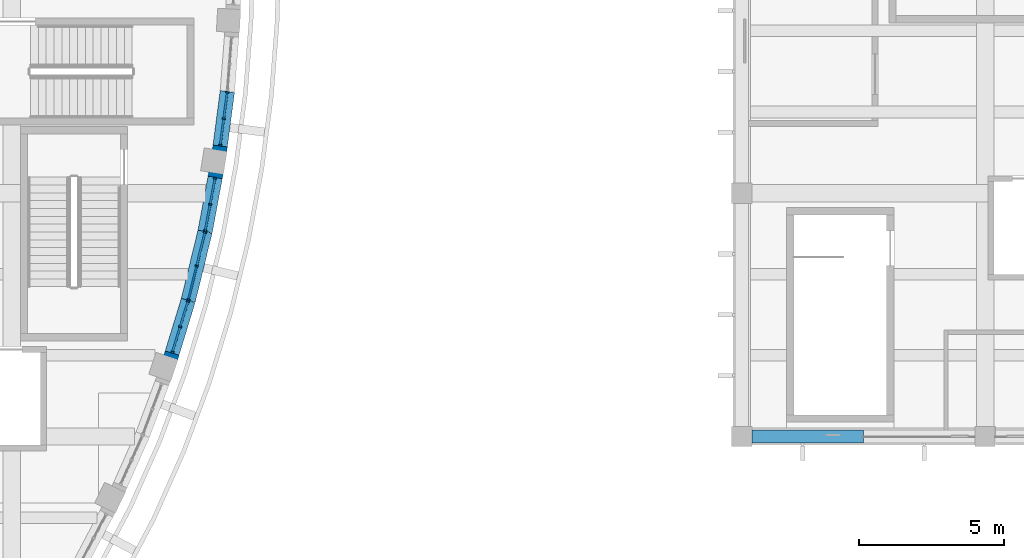
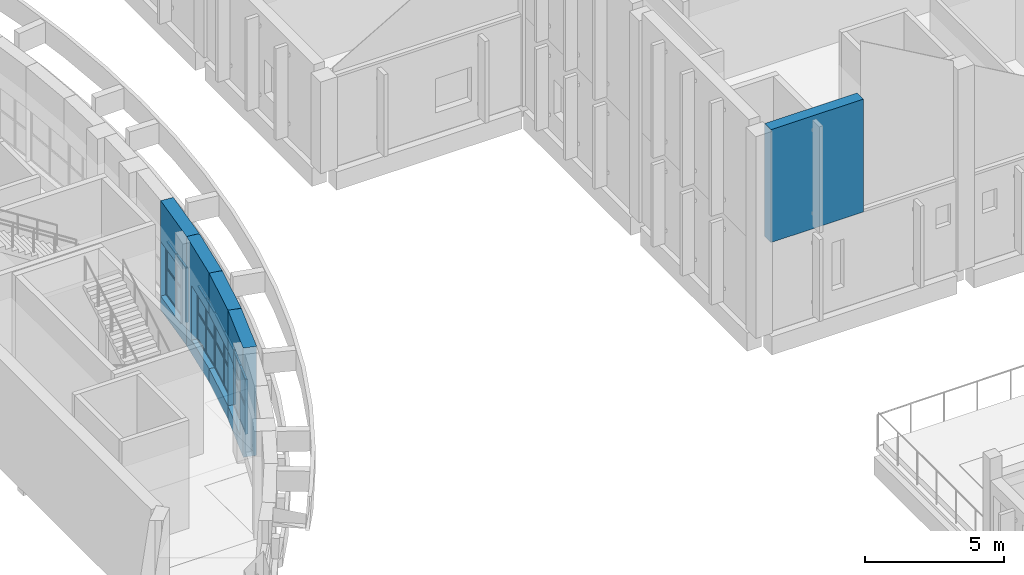
# One storey, part 40 of 79: 36 members, 16 plates, 5 walls, 4 openings, 4 elements without a shape of their own.
"""IFC4 building model written with IfcOpenShell, lengths in metres."""

from ifc_helpers import new_model, si_unit, direction, frame, frame_2d, origin, origin_2d, place, context, subcontext, project, spatial, rectangle, extrude, material, layer, layer_set, material_profile, profile_set, type_object, element, fill, aggregate, save


model = new_model("IFC4")

# Units and contexts
model_context = context("Model", 3, precision=1e-05, world=origin(), true_north=direction((0.0, 1.0)))
body_context = subcontext(model_context, "Body", "Model", "MODEL_VIEW")
ifc_project = project(units=[si_unit("LENGTHUNIT", "METRE"), si_unit("AREAUNIT", "SQUARE_METRE"), si_unit("VOLUMEUNIT", "CUBIC_METRE"), si_unit("PLANEANGLEUNIT", "RADIAN"), si_unit("MASSUNIT", "GRAM", prefix="KILO")], contexts=[model_context])

# Site, building, storey
site_placement = place(None, origin())
site = spatial("IfcSite", under=ifc_project, at=site_placement, CompositionType="ELEMENT")
building_placement = place(site_placement, origin())
building = spatial("IfcBuilding", under=site, at=building_placement, Name="Larchfold Concert Hall", CompositionType="ELEMENT")
storey_placement = place(building_placement, frame((0.0, 0.0, 14.39990234375)))
storey = spatial("IfcBuildingStorey", under=building, at=storey_placement, Name="L03", CompositionType="ELEMENT", Elevation=14.39990234375)

# Curtain wall, members
ifc_material_1 = material(Name="Anodised graphite aluminium curtain wall", Category="aluminium")
ifc_layer_1 = layer(ifc_material_1, 0.10009765625)
ifc_layer_set_1 = layer_set([ifc_layer_1], Name="Anodised graphite aluminium curtain wall")
curtain_wall_type = type_object("IfcCurtainWallType", Name="Curtain wall GB", PredefinedType="NOTDEFINED", material=ifc_layer_set_1)
curtain_wall_1_placement = place(storey_placement, origin())
curtain_wall_1 = element("IfcCurtainWall", 1, at=curtain_wall_1_placement, inside=storey, type_object=curtain_wall_type, Name="Curtain wall CW0055", PredefinedType="NOTDEFINED")
ifc_material_2 = material(Name="Anodised graphite aluminium mullion", Category="aluminium")
ifc_material_profile_1 = material_profile(ifc_material_2, rectangle(XDim=0.10009765625, YDim=0.06005859375, at=origin_2d()))
ifc_profile_set_1 = profile_set([ifc_material_profile_1], Name="Anodised graphite aluminium mullion")
member_type_1 = type_object("IfcMemberType", Name="Aluminium mullion 60x100", PredefinedType="MULLION", material=ifc_profile_set_1)
member_1_placement = place(storey_placement, frame((64.9482421875, 70.708984375, 0.60009765625), z_axis=(0.0, 0.0, 1.0), x_axis=(-0.956258693829, 0.292522324748, 0.0)))
member_1 = element("IfcMember", 2, at=member_1_placement, type_object=member_type_1, Name="CW0055 mullion 1", PredefinedType="MULLION", context=body_context, shape_type="SweptSolid", body=[
    extrude(rectangle(XDim=0.10009765625, YDim=0.06005859375, at=origin_2d()), origin(), (0.0, 0.0, 1.0), 2.39990234375),
])
member_2_placement = place(storey_placement, frame((65.21728515625, 71.587890625, 0.60009765625), z_axis=(0.0, 0.0, 1.0), x_axis=(-0.956258693829, 0.292522324748, 0.0)))
member_2 = element("IfcMember", 3, at=member_2_placement, type_object=member_type_1, Name="CW0055 mullion 2", PredefinedType="MULLION", context=body_context, shape_type="SweptSolid", body=[
    extrude(rectangle(XDim=0.10009765625, YDim=0.06005859375, at=origin_2d()), origin(), (0.0, 0.0, 1.0), 2.39990234375),
])
member_3_placement = place(storey_placement, frame((65.486083984375, 72.467041015625, 0.60009765625), z_axis=(0.0, 0.0, 1.0), x_axis=(-0.956258693829, 0.292522324748, 0.0)))
member_3 = element("IfcMember", 4, at=member_3_placement, type_object=member_type_1, Name="CW0055 mullion 3", PredefinedType="MULLION", context=body_context, shape_type="SweptSolid", body=[
    extrude(rectangle(XDim=0.10009765625, YDim=0.06005859375, at=origin_2d()), origin(), (0.0, 0.0, 1.0), 2.39990234375),
])

curtain_wall_2_placement = place(storey_placement, origin())
curtain_wall_2 = element("IfcCurtainWall", 5, at=curtain_wall_2_placement, inside=storey, type_object=curtain_wall_type, Name="Curtain wall CW0056", PredefinedType="NOTDEFINED")
member_4_placement = place(storey_placement, frame((65.501953125, 72.52490234375, 0.60009765625), z_axis=(0.0, 0.0, 1.0), x_axis=(-0.971395940383, 0.237465633318, 0.0)))
member_4 = element("IfcMember", 6, at=member_4_placement, type_object=member_type_1, Name="CW0056 mullion 1", PredefinedType="MULLION", context=body_context, shape_type="SweptSolid", body=[
    extrude(rectangle(XDim=0.10009765625, YDim=0.06005859375, at=origin_2d()), origin(), (0.0, 0.0, 1.0), 2.39990234375),
])
member_5_placement = place(storey_placement, frame((65.78564453125, 73.685302734375, 0.60009765625), z_axis=(0.0, 0.0, 1.0), x_axis=(-0.971395940383, 0.237465633318, 0.0)))
member_5 = element("IfcMember", 7, at=member_5_placement, type_object=member_type_1, Name="CW0056 mullion 2", PredefinedType="MULLION", context=body_context, shape_type="SweptSolid", body=[
    extrude(rectangle(XDim=0.10009765625, YDim=0.06005859375, at=origin_2d()), origin(), (0.0, 0.0, 1.0), 2.39990234375),
])
member_6_placement = place(storey_placement, frame((66.0693359375, 74.845703125, 0.60009765625), z_axis=(0.0, 0.0, 1.0), x_axis=(-0.971395940383, 0.237465633318, 0.0)))
member_6 = element("IfcMember", 8, at=member_6_placement, type_object=member_type_1, Name="CW0056 mullion 3", PredefinedType="MULLION", context=body_context, shape_type="SweptSolid", body=[
    extrude(rectangle(XDim=0.10009765625, YDim=0.06005859375, at=origin_2d()), origin(), (0.0, 0.0, 1.0), 2.39990234375),
])

curtain_wall_3_placement = place(storey_placement, origin())
curtain_wall_3 = element("IfcCurtainWall", 9, at=curtain_wall_3_placement, inside=storey, type_object=curtain_wall_type, Name="Curtain wall CW0057", PredefinedType="NOTDEFINED")
member_7_placement = place(storey_placement, frame((66.08203125, 74.904296875, 0.60009765625), z_axis=(0.0, 0.0, 1.0), x_axis=(-0.983021795006, 0.183488829476, 0.0)))
member_7 = element("IfcMember", 10, at=member_7_placement, type_object=member_type_1, Name="CW0057 mullion 1", PredefinedType="MULLION", context=body_context, shape_type="SweptSolid", body=[
    extrude(rectangle(XDim=0.10009765625, YDim=0.06005859375, at=origin_2d()), origin(), (0.0, 0.0, 1.0), 2.39990234375),
])
member_8_placement = place(storey_placement, frame((66.250732421875, 75.807861328125, 0.60009765625), z_axis=(0.0, 0.0, 1.0), x_axis=(-0.983021795006, 0.183488829476, 0.0)))
member_8 = element("IfcMember", 11, at=member_8_placement, type_object=member_type_1, Name="CW0057 mullion 2", PredefinedType="MULLION", context=body_context, shape_type="SweptSolid", body=[
    extrude(rectangle(XDim=0.10009765625, YDim=0.06005859375, at=origin_2d()), origin(), (0.0, 0.0, 1.0), 2.39990234375),
])
member_9_placement = place(storey_placement, frame((66.419189453125, 76.711669921875, 0.60009765625), z_axis=(0.0, 0.0, 1.0), x_axis=(-0.983021795006, 0.183488829476, 0.0)))
member_9 = element("IfcMember", 12, at=member_9_placement, type_object=member_type_1, Name="CW0057 mullion 3", PredefinedType="MULLION", context=body_context, shape_type="SweptSolid", body=[
    extrude(rectangle(XDim=0.10009765625, YDim=0.06005859375, at=origin_2d()), origin(), (0.0, 0.0, 1.0), 2.39990234375),
])

curtain_wall_4_placement = place(storey_placement, origin())
curtain_wall_4 = element("IfcCurtainWall", 13, at=curtain_wall_4_placement, inside=storey, type_object=curtain_wall_type, Name="Curtain wall CW0058", PredefinedType="NOTDEFINED")
member_10_placement = place(storey_placement, frame((66.6015625, 77.857421875, 0.60009765625), z_axis=(0.0, 0.0, 1.0), x_axis=(-0.991447729856, 0.130504402086, 0.0)))
member_10 = element("IfcMember", 14, at=member_10_placement, type_object=member_type_1, Name="CW0058 mullion 1", PredefinedType="MULLION", context=body_context, shape_type="SweptSolid", body=[
    extrude(rectangle(XDim=0.10009765625, YDim=0.06005859375, at=origin_2d()), origin(), (0.0, 0.0, 1.0), 2.39990234375),
])
member_11_placement = place(storey_placement, frame((66.721435546875, 78.768798828125, 0.60009765625), z_axis=(0.0, 0.0, 1.0), x_axis=(-0.991447729856, 0.130504402086, 0.0)))
member_11 = element("IfcMember", 15, at=member_11_placement, type_object=member_type_1, Name="CW0058 mullion 2", PredefinedType="MULLION", context=body_context, shape_type="SweptSolid", body=[
    extrude(rectangle(XDim=0.10009765625, YDim=0.06005859375, at=origin_2d()), origin(), (0.0, 0.0, 1.0), 2.39990234375),
])
member_12_placement = place(storey_placement, frame((66.841552734375, 79.680419921875, 0.60009765625), z_axis=(0.0, 0.0, 1.0), x_axis=(-0.991447729856, 0.130504402086, 0.0)))
member_12 = element("IfcMember", 16, at=member_12_placement, type_object=member_type_1, Name="CW0058 mullion 3", PredefinedType="MULLION", context=body_context, shape_type="SweptSolid", body=[
    extrude(rectangle(XDim=0.10009765625, YDim=0.06005859375, at=origin_2d()), origin(), (0.0, 0.0, 1.0), 2.39990234375),
])

# Member
ifc_material_3 = material(Name="Anodised graphite aluminium transom", Category="aluminium")
ifc_material_profile_2 = material_profile(ifc_material_3, rectangle(XDim=0.080078125, YDim=0.06005859375, at=origin_2d()))
ifc_profile_set_2 = profile_set([ifc_material_profile_2], Name="Anodised graphite aluminium transom")
member_type_2 = type_object("IfcMemberType", Name="Aluminium transom 60x80", PredefinedType="USERDEFINED", material=ifc_profile_set_2)
member_13_placement = place(storey_placement, frame((64.95703125, 70.737548828125, 0.630126953125), z_axis=(0.292608252028, 0.956232404201, 0.0), x_axis=(-0.956232404201, 0.292608252028, 0.0)))
member_13 = element("IfcMember", 17, at=member_13_placement, type_object=member_type_2, Name="CW0055 transom 1.1", ObjectType="TRANSOM", PredefinedType="USERDEFINED", context=body_context, shape_type="SweptSolid", body=[
    extrude(rectangle(XDim=0.080078125, YDim=0.06005859375, at=origin_2d()), origin(), (0.0, 0.0, 1.0), 0.859375),
])

member_14_placement = place(storey_placement, frame((64.95703125, 70.737548828125, 1.800048828125), z_axis=(0.292608252028, 0.956232404201, 0.0), x_axis=(-0.956232404201, 0.292608252028, 0.0)))
member_14 = element("IfcMember", 18, at=member_14_placement, type_object=member_type_2, Name="CW0055 transom 1.2", ObjectType="TRANSOM", PredefinedType="USERDEFINED", context=body_context, shape_type="SweptSolid", body=[
    extrude(rectangle(XDim=0.080078125, YDim=0.06005859375, at=origin_2d()), origin(), (0.0, 0.0, 1.0), 0.859375),
])

member_15_placement = place(storey_placement, frame((64.95703125, 70.737548828125, 2.969970703125), z_axis=(0.292608252028, 0.956232404201, 0.0), x_axis=(-0.956232404201, 0.292608252028, 0.0)))
member_15 = element("IfcMember", 19, at=member_15_placement, type_object=member_type_2, Name="CW0055 transom 1.3", ObjectType="TRANSOM", PredefinedType="USERDEFINED", context=body_context, shape_type="SweptSolid", body=[
    extrude(rectangle(XDim=0.080078125, YDim=0.06005859375, at=origin_2d()), origin(), (0.0, 0.0, 1.0), 0.859375),
])

member_16_placement = place(storey_placement, frame((65.225830078125, 71.61669921875, 0.630126953125), z_axis=(0.292608252028, 0.956232404201, 0.0), x_axis=(-0.956232404201, 0.292608252028, 0.0)))
member_16 = element("IfcMember", 20, at=member_16_placement, type_object=member_type_2, Name="CW0055 transom 2.1", ObjectType="TRANSOM", PredefinedType="USERDEFINED", context=body_context, shape_type="SweptSolid", body=[
    extrude(rectangle(XDim=0.080078125, YDim=0.06005859375, at=origin_2d()), origin(), (0.0, 0.0, 1.0), 0.859375),
])

member_17_placement = place(storey_placement, frame((65.225830078125, 71.61669921875, 1.800048828125), z_axis=(0.292608252028, 0.956232404201, 0.0), x_axis=(-0.956232404201, 0.292608252028, 0.0)))
member_17 = element("IfcMember", 21, at=member_17_placement, type_object=member_type_2, Name="CW0055 transom 2.2", ObjectType="TRANSOM", PredefinedType="USERDEFINED", context=body_context, shape_type="SweptSolid", body=[
    extrude(rectangle(XDim=0.080078125, YDim=0.06005859375, at=origin_2d()), origin(), (0.0, 0.0, 1.0), 0.859375),
])

member_18_placement = place(storey_placement, frame((65.225830078125, 71.61669921875, 2.969970703125), z_axis=(0.292608252028, 0.956232404201, 0.0), x_axis=(-0.956232404201, 0.292608252028, 0.0)))
member_18 = element("IfcMember", 22, at=member_18_placement, type_object=member_type_2, Name="CW0055 transom 2.3", ObjectType="TRANSOM", PredefinedType="USERDEFINED", context=body_context, shape_type="SweptSolid", body=[
    extrude(rectangle(XDim=0.080078125, YDim=0.06005859375, at=origin_2d()), origin(), (0.0, 0.0, 1.0), 0.859375),
])

member_19_placement = place(storey_placement, frame((65.509033203125, 72.55419921875, 0.630126953125), z_axis=(0.237570410735, 0.971370320703, 0.0), x_axis=(-0.971370320703, 0.237570410735, 0.0)))
member_19 = element("IfcMember", 23, at=member_19_placement, type_object=member_type_2, Name="CW0056 transom 1.1", ObjectType="TRANSOM", PredefinedType="USERDEFINED", context=body_context, shape_type="SweptSolid", body=[
    extrude(rectangle(XDim=0.080078125, YDim=0.06005859375, at=origin_2d()), origin(), (0.0, 0.0, 1.0), 1.134521484375),
])

member_20_placement = place(storey_placement, frame((65.509033203125, 72.55419921875, 1.800048828125), z_axis=(0.237570410735, 0.971370320703, 0.0), x_axis=(-0.971370320703, 0.237570410735, 0.0)))
member_20 = element("IfcMember", 24, at=member_20_placement, type_object=member_type_2, Name="CW0056 transom 1.2", ObjectType="TRANSOM", PredefinedType="USERDEFINED", context=body_context, shape_type="SweptSolid", body=[
    extrude(rectangle(XDim=0.080078125, YDim=0.06005859375, at=origin_2d()), origin(), (0.0, 0.0, 1.0), 1.134521484375),
])

member_21_placement = place(storey_placement, frame((65.509033203125, 72.55419921875, 2.969970703125), z_axis=(0.237570410735, 0.971370320703, 0.0), x_axis=(-0.971370320703, 0.237570410735, 0.0)))
member_21 = element("IfcMember", 25, at=member_21_placement, type_object=member_type_2, Name="CW0056 transom 1.3", ObjectType="TRANSOM", PredefinedType="USERDEFINED", context=body_context, shape_type="SweptSolid", body=[
    extrude(rectangle(XDim=0.080078125, YDim=0.06005859375, at=origin_2d()), origin(), (0.0, 0.0, 1.0), 1.134521484375),
])

member_22_placement = place(storey_placement, frame((65.792724609375, 73.71435546875, 0.630126953125), z_axis=(0.237570410735, 0.971370320703, 0.0), x_axis=(-0.971370320703, 0.237570410735, 0.0)))
member_22 = element("IfcMember", 26, at=member_22_placement, type_object=member_type_2, Name="CW0056 transom 2.1", ObjectType="TRANSOM", PredefinedType="USERDEFINED", context=body_context, shape_type="SweptSolid", body=[
    extrude(rectangle(XDim=0.080078125, YDim=0.06005859375, at=origin_2d()), origin(), (0.0, 0.0, 1.0), 1.134521484375),
])

member_23_placement = place(storey_placement, frame((65.792724609375, 73.71435546875, 1.800048828125), z_axis=(0.237570410735, 0.971370320703, 0.0), x_axis=(-0.971370320703, 0.237570410735, 0.0)))
member_23 = element("IfcMember", 27, at=member_23_placement, type_object=member_type_2, Name="CW0056 transom 2.2", ObjectType="TRANSOM", PredefinedType="USERDEFINED", context=body_context, shape_type="SweptSolid", body=[
    extrude(rectangle(XDim=0.080078125, YDim=0.06005859375, at=origin_2d()), origin(), (0.0, 0.0, 1.0), 1.134521484375),
])

member_24_placement = place(storey_placement, frame((65.792724609375, 73.71435546875, 2.969970703125), z_axis=(0.237570410735, 0.971370320703, 0.0), x_axis=(-0.971370320703, 0.237570410735, 0.0)))
member_24 = element("IfcMember", 28, at=member_24_placement, type_object=member_type_2, Name="CW0056 transom 2.3", ObjectType="TRANSOM", PredefinedType="USERDEFINED", context=body_context, shape_type="SweptSolid", body=[
    extrude(rectangle(XDim=0.080078125, YDim=0.06005859375, at=origin_2d()), origin(), (0.0, 0.0, 1.0), 1.134521484375),
])

member_25_placement = place(storey_placement, frame((66.08740234375, 74.933837890625, 0.630126953125), z_axis=(0.183533718532, 0.983013415047, 0.0), x_axis=(-0.983013415047, 0.183533718532, 0.0)))
member_25 = element("IfcMember", 29, at=member_25_placement, type_object=member_type_2, Name="CW0057 transom 1.1", ObjectType="TRANSOM", PredefinedType="USERDEFINED", context=body_context, shape_type="SweptSolid", body=[
    extrude(rectangle(XDim=0.080078125, YDim=0.06005859375, at=origin_2d()), origin(), (0.0, 0.0, 1.0), 0.859375),
])

member_26_placement = place(storey_placement, frame((66.08740234375, 74.933837890625, 1.800048828125), z_axis=(0.183533718532, 0.983013415047, 0.0), x_axis=(-0.983013415047, 0.183533718532, 0.0)))
member_26 = element("IfcMember", 30, at=member_26_placement, type_object=member_type_2, Name="CW0057 transom 1.2", ObjectType="TRANSOM", PredefinedType="USERDEFINED", context=body_context, shape_type="SweptSolid", body=[
    extrude(rectangle(XDim=0.080078125, YDim=0.06005859375, at=origin_2d()), origin(), (0.0, 0.0, 1.0), 0.859375),
])

member_27_placement = place(storey_placement, frame((66.08740234375, 74.933837890625, 2.969970703125), z_axis=(0.183533718532, 0.983013415047, 0.0), x_axis=(-0.983013415047, 0.183533718532, 0.0)))
member_27 = element("IfcMember", 31, at=member_27_placement, type_object=member_type_2, Name="CW0057 transom 1.3", ObjectType="TRANSOM", PredefinedType="USERDEFINED", context=body_context, shape_type="SweptSolid", body=[
    extrude(rectangle(XDim=0.080078125, YDim=0.06005859375, at=origin_2d()), origin(), (0.0, 0.0, 1.0), 0.859375),
])

member_28_placement = place(storey_placement, frame((66.256103515625, 75.83740234375, 0.630126953125), z_axis=(0.183533718532, 0.983013415047, 0.0), x_axis=(-0.983013415047, 0.183533718532, 0.0)))
member_28 = element("IfcMember", 32, at=member_28_placement, type_object=member_type_2, Name="CW0057 transom 2.1", ObjectType="TRANSOM", PredefinedType="USERDEFINED", context=body_context, shape_type="SweptSolid", body=[
    extrude(rectangle(XDim=0.080078125, YDim=0.06005859375, at=origin_2d()), origin(), (0.0, 0.0, 1.0), 0.859375),
])

member_29_placement = place(storey_placement, frame((66.256103515625, 75.83740234375, 1.800048828125), z_axis=(0.183533718532, 0.983013415047, 0.0), x_axis=(-0.983013415047, 0.183533718532, 0.0)))
member_29 = element("IfcMember", 33, at=member_29_placement, type_object=member_type_2, Name="CW0057 transom 2.2", ObjectType="TRANSOM", PredefinedType="USERDEFINED", context=body_context, shape_type="SweptSolid", body=[
    extrude(rectangle(XDim=0.080078125, YDim=0.06005859375, at=origin_2d()), origin(), (0.0, 0.0, 1.0), 0.859375),
])

member_30_placement = place(storey_placement, frame((66.256103515625, 75.83740234375, 2.969970703125), z_axis=(0.183533718532, 0.983013415047, 0.0), x_axis=(-0.983013415047, 0.183533718532, 0.0)))
member_30 = element("IfcMember", 34, at=member_30_placement, type_object=member_type_2, Name="CW0057 transom 2.3", ObjectType="TRANSOM", PredefinedType="USERDEFINED", context=body_context, shape_type="SweptSolid", body=[
    extrude(rectangle(XDim=0.080078125, YDim=0.06005859375, at=origin_2d()), origin(), (0.0, 0.0, 1.0), 0.859375),
])

member_31_placement = place(storey_placement, frame((66.60546875, 77.88720703125, 0.630126953125), z_axis=(0.130395722479, 0.991462029308, 0.0), x_axis=(-0.991462029308, 0.130395722479, 0.0)))
member_31 = element("IfcMember", 35, at=member_31_placement, type_object=member_type_2, Name="CW0058 transom 1.1", ObjectType="TRANSOM", PredefinedType="USERDEFINED", context=body_context, shape_type="SweptSolid", body=[
    extrude(rectangle(XDim=0.080078125, YDim=0.06005859375, at=origin_2d()), origin(), (0.0, 0.0, 1.0), 0.859375),
])

member_32_placement = place(storey_placement, frame((66.60546875, 77.88720703125, 1.800048828125), z_axis=(0.130395722479, 0.991462029308, 0.0), x_axis=(-0.991462029308, 0.130395722479, 0.0)))
member_32 = element("IfcMember", 36, at=member_32_placement, type_object=member_type_2, Name="CW0058 transom 1.2", ObjectType="TRANSOM", PredefinedType="USERDEFINED", context=body_context, shape_type="SweptSolid", body=[
    extrude(rectangle(XDim=0.080078125, YDim=0.06005859375, at=origin_2d()), origin(), (0.0, 0.0, 1.0), 0.859375),
])

member_33_placement = place(storey_placement, frame((66.60546875, 77.88720703125, 2.969970703125), z_axis=(0.130395722479, 0.991462029308, 0.0), x_axis=(-0.991462029308, 0.130395722479, 0.0)))
member_33 = element("IfcMember", 37, at=member_33_placement, type_object=member_type_2, Name="CW0058 transom 1.3", ObjectType="TRANSOM", PredefinedType="USERDEFINED", context=body_context, shape_type="SweptSolid", body=[
    extrude(rectangle(XDim=0.080078125, YDim=0.06005859375, at=origin_2d()), origin(), (0.0, 0.0, 1.0), 0.859375),
])

member_34_placement = place(storey_placement, frame((66.7255859375, 78.798583984375, 0.630126953125), z_axis=(0.130395722479, 0.991462029308, 0.0), x_axis=(-0.991462029308, 0.130395722479, 0.0)))
member_34 = element("IfcMember", 38, at=member_34_placement, type_object=member_type_2, Name="CW0058 transom 2.1", ObjectType="TRANSOM", PredefinedType="USERDEFINED", context=body_context, shape_type="SweptSolid", body=[
    extrude(rectangle(XDim=0.080078125, YDim=0.06005859375, at=origin_2d()), origin(), (0.0, 0.0, 1.0), 0.859375),
])

member_35_placement = place(storey_placement, frame((66.7255859375, 78.798583984375, 1.800048828125), z_axis=(0.130395722479, 0.991462029308, 0.0), x_axis=(-0.991462029308, 0.130395722479, 0.0)))
member_35 = element("IfcMember", 39, at=member_35_placement, type_object=member_type_2, Name="CW0058 transom 2.2", ObjectType="TRANSOM", PredefinedType="USERDEFINED", context=body_context, shape_type="SweptSolid", body=[
    extrude(rectangle(XDim=0.080078125, YDim=0.06005859375, at=origin_2d()), origin(), (0.0, 0.0, 1.0), 0.859375),
])

member_36_placement = place(storey_placement, frame((66.7255859375, 78.798583984375, 2.969970703125), z_axis=(0.130395722479, 0.991462029308, 0.0), x_axis=(-0.991462029308, 0.130395722479, 0.0)))
member_36 = element("IfcMember", 40, at=member_36_placement, type_object=member_type_2, Name="CW0058 transom 2.3", ObjectType="TRANSOM", PredefinedType="USERDEFINED", context=body_context, shape_type="SweptSolid", body=[
    extrude(rectangle(XDim=0.080078125, YDim=0.06005859375, at=origin_2d()), origin(), (0.0, 0.0, 1.0), 0.859375),
])

# Plate
ifc_material_4 = material(Name="Insulated glazing unit, glass", Category="glass")
ifc_layer_2 = layer(ifc_material_4, 0.02392578125)
ifc_layer_set_2 = layer_set([ifc_layer_2], Name="Insulated glazing unit, glass")
plate_type_1 = type_object("IfcPlateType", Name="Glass panel 24", PredefinedType="CURTAIN_PANEL", material=ifc_layer_set_2)
plate_1_placement = place(storey_placement, frame((65.082763671875, 71.1484375, 1.830078125), z_axis=(0.0, 0.0, 1.0), x_axis=(0.292522324748, 0.956258693829, 0.0)))
plate_1 = element("IfcPlate", 41, at=plate_1_placement, type_object=plate_type_1, Name="CW0055 panel 1.2", PredefinedType="CURTAIN_PANEL", context=body_context, shape_type="SweptSolid", body=[
    extrude(rectangle(XDim=0.859375, YDim=0.02392578125, at=origin_2d()), origin(), (0.0, 0.0, 1.0), 1.10986328125),
])

plate_2_placement = place(storey_placement, frame((65.3515625, 72.027587890625, 1.830078125), z_axis=(0.0, 0.0, 1.0), x_axis=(0.292522324748, 0.956258693829, 0.0)))
plate_2 = element("IfcPlate", 42, at=plate_2_placement, type_object=plate_type_1, Name="CW0055 panel 2.2", PredefinedType="CURTAIN_PANEL", context=body_context, shape_type="SweptSolid", body=[
    extrude(rectangle(XDim=0.859375, YDim=0.02392578125, at=origin_2d()), origin(), (0.0, 0.0, 1.0), 1.10986328125),
])

plate_3_placement = place(storey_placement, frame((65.643798828125, 73.105224609375, 1.830078125), z_axis=(0.0, 0.0, 1.0), x_axis=(0.237465633318, 0.971395940383, 0.0)))
plate_3 = element("IfcPlate", 43, at=plate_3_placement, type_object=plate_type_1, Name="CW0056 panel 1.2", PredefinedType="CURTAIN_PANEL", context=body_context, shape_type="SweptSolid", body=[
    extrude(rectangle(XDim=1.134521484375, YDim=0.02392578125, at=origin_2d()), origin(), (0.0, 0.0, 1.0), 1.10986328125),
])

plate_4_placement = place(storey_placement, frame((65.927490234375, 74.265380859375, 1.830078125), z_axis=(0.0, 0.0, 1.0), x_axis=(0.237465633318, 0.971395940383, 0.0)))
plate_4 = element("IfcPlate", 44, at=plate_4_placement, type_object=plate_type_1, Name="CW0056 panel 2.2", PredefinedType="CURTAIN_PANEL", context=body_context, shape_type="SweptSolid", body=[
    extrude(rectangle(XDim=1.134521484375, YDim=0.02392578125, at=origin_2d()), origin(), (0.0, 0.0, 1.0), 1.10986328125),
])

plate_5_placement = place(storey_placement, frame((66.166259765625, 75.356201171875, 1.830078125), z_axis=(0.0, 0.0, 1.0), x_axis=(0.183488829476, 0.983021795006, 0.0)))
plate_5 = element("IfcPlate", 45, at=plate_5_placement, type_object=plate_type_1, Name="CW0057 panel 1.2", PredefinedType="CURTAIN_PANEL", context=body_context, shape_type="SweptSolid", body=[
    extrude(rectangle(XDim=0.859375, YDim=0.02392578125, at=origin_2d()), origin(), (0.0, 0.0, 1.0), 1.10986328125),
])

plate_6_placement = place(storey_placement, frame((66.3349609375, 76.259765625, 1.830078125), z_axis=(0.0, 0.0, 1.0), x_axis=(0.183488829476, 0.983021795006, 0.0)))
plate_6 = element("IfcPlate", 46, at=plate_6_placement, type_object=plate_type_1, Name="CW0057 panel 2.2", PredefinedType="CURTAIN_PANEL", context=body_context, shape_type="SweptSolid", body=[
    extrude(rectangle(XDim=0.859375, YDim=0.02392578125, at=origin_2d()), origin(), (0.0, 0.0, 1.0), 1.10986328125),
])

plate_7_placement = place(storey_placement, frame((66.66162109375, 78.313232421875, 1.830078125), z_axis=(0.0, 0.0, 1.0), x_axis=(0.130504402086, 0.991447729856, 0.0)))
plate_7 = element("IfcPlate", 47, at=plate_7_placement, type_object=plate_type_1, Name="CW0058 panel 1.2", PredefinedType="CURTAIN_PANEL", context=body_context, shape_type="SweptSolid", body=[
    extrude(rectangle(XDim=0.859375, YDim=0.02392578125, at=origin_2d()), origin(), (0.0, 0.0, 1.0), 1.10986328125),
])

plate_8_placement = place(storey_placement, frame((66.781494140625, 79.224609375, 1.830078125), z_axis=(0.0, 0.0, 1.0), x_axis=(0.130504402086, 0.991447729856, 0.0)))
plate_8 = element("IfcPlate", 48, at=plate_8_placement, type_object=plate_type_1, Name="CW0058 panel 2.2", PredefinedType="CURTAIN_PANEL", context=body_context, shape_type="SweptSolid", body=[
    extrude(rectangle(XDim=0.859375, YDim=0.02392578125, at=origin_2d()), origin(), (0.0, 0.0, 1.0), 1.10986328125),
])

ifc_material_5 = material(Name="White insulated panel")
ifc_layer_3 = layer(ifc_material_5, 0.050048828125)
ifc_layer_set_3 = layer_set([ifc_layer_3], Name="White insulated panel")
plate_type_2 = type_object("IfcPlateType", Name="Insulated spandrel panel 50", PredefinedType="CURTAIN_PANEL", material=ifc_layer_set_3)
plate_9_placement = place(storey_placement, frame((65.082763671875, 71.1484375, 0.66015625), z_axis=(0.0, 0.0, 1.0), x_axis=(0.292522324748, 0.956258693829, 0.0)))
plate_9 = element("IfcPlate", 49, at=plate_9_placement, type_object=plate_type_2, Name="CW0055 panel 1.1", PredefinedType="CURTAIN_PANEL", context=body_context, shape_type="SweptSolid", body=[
    extrude(rectangle(XDim=0.859375, YDim=0.050048828125, at=origin_2d()), origin(), (0.0, 0.0, 1.0), 1.10986328125),
])

plate_10_placement = place(storey_placement, frame((65.3515625, 72.027587890625, 0.66015625), z_axis=(0.0, 0.0, 1.0), x_axis=(0.292522324748, 0.956258693829, 0.0)))
plate_10 = element("IfcPlate", 50, at=plate_10_placement, type_object=plate_type_2, Name="CW0055 panel 2.1", PredefinedType="CURTAIN_PANEL", context=body_context, shape_type="SweptSolid", body=[
    extrude(rectangle(XDim=0.859375, YDim=0.050048828125, at=origin_2d()), origin(), (0.0, 0.0, 1.0), 1.10986328125),
])

aggregate(curtain_wall_1, [member_1, member_2, member_3, member_13, member_14, member_15, plate_9, plate_1, member_16, member_17, member_18, plate_10, plate_2])

plate_11_placement = place(storey_placement, frame((65.643798828125, 73.105224609375, 0.66015625), z_axis=(0.0, 0.0, 1.0), x_axis=(0.237465633318, 0.971395940383, 0.0)))
plate_11 = element("IfcPlate", 51, at=plate_11_placement, type_object=plate_type_2, Name="CW0056 panel 1.1", PredefinedType="CURTAIN_PANEL", context=body_context, shape_type="SweptSolid", body=[
    extrude(rectangle(XDim=1.134521484375, YDim=0.050048828125, at=origin_2d()), origin(), (0.0, 0.0, 1.0), 1.10986328125),
])

plate_12_placement = place(storey_placement, frame((65.927490234375, 74.265380859375, 0.66015625), z_axis=(0.0, 0.0, 1.0), x_axis=(0.237465633318, 0.971395940383, 0.0)))
plate_12 = element("IfcPlate", 52, at=plate_12_placement, type_object=plate_type_2, Name="CW0056 panel 2.1", PredefinedType="CURTAIN_PANEL", context=body_context, shape_type="SweptSolid", body=[
    extrude(rectangle(XDim=1.134521484375, YDim=0.050048828125, at=origin_2d()), origin(), (0.0, 0.0, 1.0), 1.10986328125),
])

aggregate(curtain_wall_2, [member_4, member_5, member_6, member_19, member_20, member_21, plate_11, plate_3, member_22, member_23, member_24, plate_12, plate_4])

plate_13_placement = place(storey_placement, frame((66.166259765625, 75.356201171875, 0.66015625), z_axis=(0.0, 0.0, 1.0), x_axis=(0.183488829476, 0.983021795006, 0.0)))
plate_13 = element("IfcPlate", 53, at=plate_13_placement, type_object=plate_type_2, Name="CW0057 panel 1.1", PredefinedType="CURTAIN_PANEL", context=body_context, shape_type="SweptSolid", body=[
    extrude(rectangle(XDim=0.859375, YDim=0.050048828125, at=origin_2d()), origin(), (0.0, 0.0, 1.0), 1.10986328125),
])

plate_14_placement = place(storey_placement, frame((66.3349609375, 76.259765625, 0.66015625), z_axis=(0.0, 0.0, 1.0), x_axis=(0.183488829476, 0.983021795006, 0.0)))
plate_14 = element("IfcPlate", 54, at=plate_14_placement, type_object=plate_type_2, Name="CW0057 panel 2.1", PredefinedType="CURTAIN_PANEL", context=body_context, shape_type="SweptSolid", body=[
    extrude(rectangle(XDim=0.859375, YDim=0.050048828125, at=origin_2d()), origin(), (0.0, 0.0, 1.0), 1.10986328125),
])

aggregate(curtain_wall_3, [member_7, member_8, member_9, member_25, member_26, member_27, plate_13, plate_5, member_28, member_29, member_30, plate_14, plate_6])

plate_15_placement = place(storey_placement, frame((66.66162109375, 78.313232421875, 0.66015625), z_axis=(0.0, 0.0, 1.0), x_axis=(0.130504402086, 0.991447729856, 0.0)))
plate_15 = element("IfcPlate", 55, at=plate_15_placement, type_object=plate_type_2, Name="CW0058 panel 1.1", PredefinedType="CURTAIN_PANEL", context=body_context, shape_type="SweptSolid", body=[
    extrude(rectangle(XDim=0.859375, YDim=0.050048828125, at=origin_2d()), origin(), (0.0, 0.0, 1.0), 1.10986328125),
])

plate_16_placement = place(storey_placement, frame((66.781494140625, 79.224609375, 0.66015625), z_axis=(0.0, 0.0, 1.0), x_axis=(0.130504402086, 0.991447729856, 0.0)))
plate_16 = element("IfcPlate", 56, at=plate_16_placement, type_object=plate_type_2, Name="CW0058 panel 2.1", PredefinedType="CURTAIN_PANEL", context=body_context, shape_type="SweptSolid", body=[
    extrude(rectangle(XDim=0.859375, YDim=0.050048828125, at=origin_2d()), origin(), (0.0, 0.0, 1.0), 1.10986328125),
])

aggregate(curtain_wall_4, [member_10, member_11, member_12, member_31, member_32, member_33, plate_15, plate_7, member_34, member_35, member_36, plate_16, plate_8])

# Wall
ifc_material_6 = material(Name="Charred larch cladding on mineral wool and CLT", Category="wood")
ifc_layer_4 = layer(ifc_material_6, 0.449951171875)
ifc_layer_set_4 = layer_set([ifc_layer_4], Name="Charred larch cladding on mineral wool and CLT")
wall_type_1 = type_object("IfcWallType", Name="Charred larch infill wall 450", PredefinedType="SOLIDWALL", material=ifc_layer_set_4)
wall_1_placement = place(storey_placement, frame((84.9501953125, 67.800048828125, 3.900146484375), z_axis=(0.0, 0.0, 1.0), x_axis=(1.0, 0.0, 0.0)))
element("IfcWall", 57, at=wall_1_placement, inside=storey, type_object=wall_type_1, Name="Infill wall W5202", PredefinedType="SOLIDWALL", context=body_context, shape_type="SweptSolid", body=[
    extrude(rectangle(XDim=3.849853515625, YDim=0.449951171875, at=frame_2d((1.9248046875, 0.0))), origin(), (0.0, 0.0, 1.0), 4.964111328125),
])

# Wall, opening
ifc_material_7 = material(Name="Concrete C30/37", Category="concrete")
ifc_layer_5 = layer(ifc_material_7, 0.5)
ifc_layer_set_5 = layer_set([ifc_layer_5], Name="Concrete C30/37")
wall_type_2 = type_object("IfcWallType", Name="Wall RC 500 drum facade", PredefinedType="SOLIDWALL", material=ifc_layer_set_5)
wall_2_placement = place(storey_placement, frame((64.778564453125, 70.154052734375, 0.0), z_axis=(0.0, 0.0, 1.0), x_axis=(0.29250219685, 0.95626485078, 0.0)))
wall_2 = element("IfcWall", 58, at=wall_2_placement, inside=storey, type_object=wall_type_2, Name="Wall DW056", PredefinedType="SOLIDWALL", context=body_context, shape_type="SweptSolid", body=[
    extrude(rectangle(XDim=2.448974609375, YDim=0.5, at=frame_2d((1.224609375, 0.0))), origin(), (0.0, 0.0, 1.0), 4.800048828125),
])
opening_1_placement = place(wall_2_placement, frame((0.55029296875, 0.0, 0.60009765625)))
opening_1 = element("IfcOpeningElement", 59, at=opening_1_placement, cuts=wall_2, Name="Opening CW0055", PredefinedType="OPENING", context=body_context, shape_type="SweptSolid", body=[
    extrude(rectangle(XDim=1.898681640625, YDim=2.39990234375, at=frame_2d((0.94921875, 1.199951171875))), frame((0.0, 0.260009765625, 0.0), z_axis=(0.0, -1.0, 0.0), x_axis=(1.0, 0.0, 0.0)), (0.0, 0.0, 1.0), 0.52001953125),
])

fill(opening_1, curtain_wall_1)

wall_3_placement = place(storey_placement, frame((65.494873046875, 72.495849609375, 0.0), z_axis=(0.0, 0.0, 1.0), x_axis=(0.237465633216, 0.971395940408, 0.0)))
wall_3 = element("IfcWall", 60, at=wall_3_placement, inside=storey, type_object=wall_type_2, Name="Wall DW057", PredefinedType="SOLIDWALL", context=body_context, shape_type="SweptSolid", body=[
    extrude(rectangle(XDim=2.448974609375, YDim=0.5, at=frame_2d((1.224609375, 0.0))), origin(), (0.0, 0.0, 1.0), 4.800048828125),
])
opening_2_placement = place(wall_3_placement, frame((0.0, 0.0, 0.60009765625)))
opening_2 = element("IfcOpeningElement", 61, at=opening_2_placement, cuts=wall_3, Name="Opening CW0056", PredefinedType="OPENING", context=body_context, shape_type="SweptSolid", body=[
    extrude(rectangle(XDim=2.448974609375, YDim=2.39990234375, at=frame_2d((1.224609375, 1.199951171875))), frame((0.0, 0.260009765625, 0.0), z_axis=(0.0, -1.0, 0.0), x_axis=(1.0, 0.0, 0.0)), (0.0, 0.0, 1.0), 0.52001953125),
])

fill(opening_2, curtain_wall_2)

wall_4_placement = place(storey_placement, frame((66.076416015625, 74.874755859375, 0.0), z_axis=(0.0, 0.0, 1.0), x_axis=(0.183524085598, 0.983015213517, 0.0)))
wall_4 = element("IfcWall", 62, at=wall_4_placement, inside=storey, type_object=wall_type_2, Name="Wall DW058", PredefinedType="SOLIDWALL", context=body_context, shape_type="SweptSolid", body=[
    extrude(rectangle(XDim=2.448974609375, YDim=0.5, at=frame_2d((1.224609375, 0.0))), origin(), (0.0, 0.0, 1.0), 4.800048828125),
])
opening_3_placement = place(wall_4_placement, frame((0.0, 0.0, 0.60009765625)))
opening_3 = element("IfcOpeningElement", 63, at=opening_3_placement, cuts=wall_4, Name="Opening CW0057", PredefinedType="OPENING", context=body_context, shape_type="SweptSolid", body=[
    extrude(rectangle(XDim=1.898681640625, YDim=2.39990234375, at=frame_2d((0.94921875, 1.199951171875))), frame((0.0, 0.260009765625, 0.0), z_axis=(0.0, -1.0, 0.0), x_axis=(1.0, 0.0, 0.0)), (0.0, 0.0, 1.0), 0.52001953125),
])

fill(opening_3, curtain_wall_3)

wall_5_placement = place(storey_placement, frame((66.52587890625, 77.2822265625, 0.0), z_axis=(0.0, 0.0, 1.0), x_axis=(0.130498353005, 0.991448526078, 0.0)))
wall_5 = element("IfcWall", 64, at=wall_5_placement, inside=storey, type_object=wall_type_2, Name="Wall DW059", PredefinedType="SOLIDWALL", context=body_context, shape_type="SweptSolid", body=[
    extrude(rectangle(XDim=2.448974609375, YDim=0.5, at=frame_2d((1.224609375, 0.0))), origin(), (0.0, 0.0, 1.0), 4.800048828125),
])
opening_4_placement = place(wall_5_placement, frame((0.550048828125, 0.0, 0.60009765625)))
opening_4 = element("IfcOpeningElement", 65, at=opening_4_placement, cuts=wall_5, Name="Opening CW0058", PredefinedType="OPENING", context=body_context, shape_type="SweptSolid", body=[
    extrude(rectangle(XDim=1.89892578125, YDim=2.39990234375, at=frame_2d((0.949462890625, 1.199951171875))), frame((0.0, 0.260009765625, 0.0), z_axis=(0.0, -1.0, 0.0), x_axis=(1.0, 0.0, 0.0)), (0.0, 0.0, 1.0), 0.52001953125),
])

fill(opening_4, curtain_wall_4)

save(model, "model.ifc")
